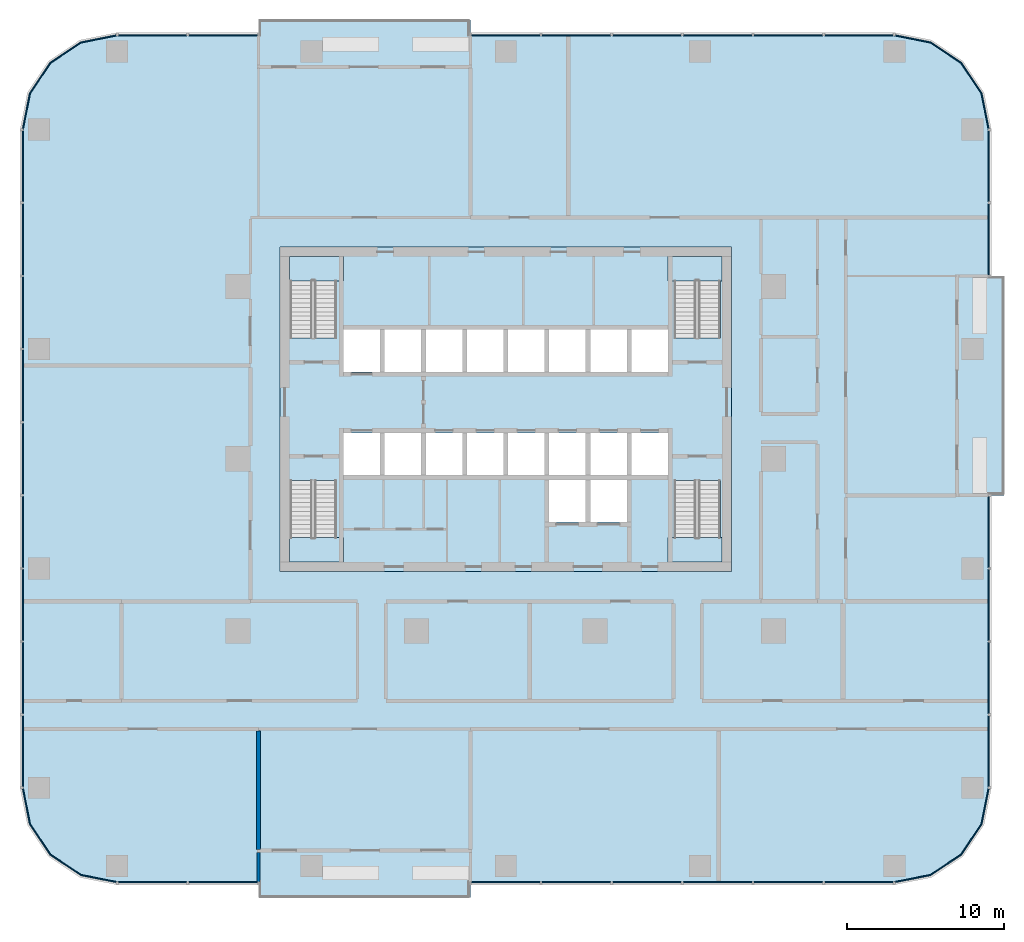
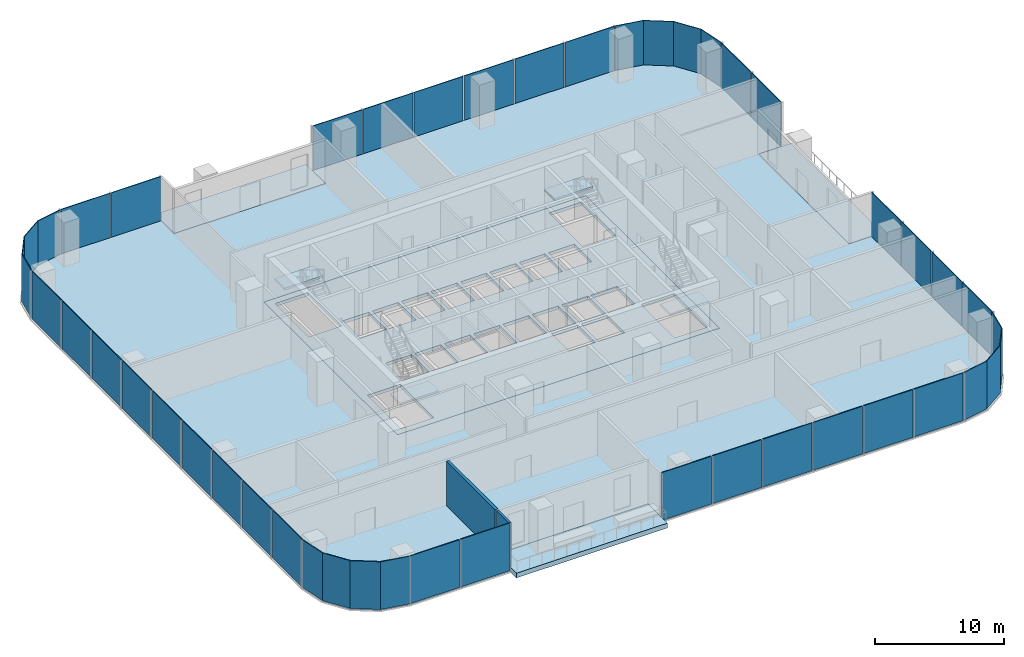
# One storey, part 6 of 15: 35 plates, 9 slabs, 2 walls, 15 elements without a shape of their own.
"""IFC4 building model written with IfcOpenShell, lengths in metres."""

from ifc_helpers import new_model, si_unit, direction, frame, frame_2d, origin, origin_2d, place, context, subcontext, project, spatial, polyline, rectangle, outline, extrude, material, layer, layer_set, type_object, element, aggregate, save


model = new_model("IFC4")

# Units and contexts
model_context = context("Model", 3, precision=1e-05, world=origin(), true_north=direction((0.0, 1.0)))
body_context = subcontext(model_context, "Body", "Model", "MODEL_VIEW")
ifc_project = project(units=[si_unit("LENGTHUNIT", "METRE"), si_unit("AREAUNIT", "SQUARE_METRE"), si_unit("VOLUMEUNIT", "CUBIC_METRE"), si_unit("PLANEANGLEUNIT", "RADIAN"), si_unit("MASSUNIT", "GRAM", prefix="KILO")], contexts=[model_context])

# Site, building, storey
site_placement = place(None, origin())
site = spatial("IfcSite", under=ifc_project, at=site_placement, CompositionType="ELEMENT")
building_placement = place(site_placement, origin())
building = spatial("IfcBuilding", under=site, at=building_placement, Name="Mopane Tessera Tower", CompositionType="ELEMENT")
storey_placement = place(building_placement, frame((0.0, 0.0, 83.800048828125)))
storey = spatial("IfcBuildingStorey", under=building, at=storey_placement, Name="L16", CompositionType="ELEMENT", Elevation=83.800048828125)

# Slab
ifc_material_1 = material(Name="Concrete C40/50", Category="concrete")
ifc_layer_1 = layer(ifc_material_1, 0.300048828125)
ifc_layer_set_1 = layer_set([ifc_layer_1], Name="Concrete C40/50")
slab_type_1 = type_object("IfcSlabType", Name="Core floor slab 300 mm", PredefinedType="FLOOR", material=ifc_layer_set_1)
slab_1_placement = place(storey_placement, frame((0.0, 0.0, -0.300048828125)))
element("IfcSlab", 1, at=slab_1_placement, inside=storey, type_object=slab_type_1, Name="L16 core floor slab", PredefinedType="FLOOR", context=body_context, shape_type="SweptSolid", body=[
    extrude(outline(polyline([(-14.39990234375, -7.199951171875), (14.39990234375, -7.199951171875), (14.39990234375, 13.5), (-14.39990234375, 13.5), (-14.39990234375, -7.199951171875)]), holes=[polyline([(-10.35009765625, -1.050048828125), (-8.02490234375, -1.050048828125), (-8.02490234375, 1.64990234375), (-10.35009765625, 1.64990234375), (-10.35009765625, -1.050048828125)]), polyline([(-7.72509765625, -1.050048828125), (-5.39990234375, -1.050048828125), (-5.39990234375, 1.64990234375), (-7.72509765625, 1.64990234375), (-7.72509765625, -1.050048828125)]), polyline([(-5.10009765625, -1.050048828125), (-2.77490234375, -1.050048828125), (-2.77490234375, 1.64990234375), (-5.10009765625, 1.64990234375), (-5.10009765625, -1.050048828125)]), polyline([(-2.47509765625, -1.050048828125), (-0.14990234375, -1.050048828125), (-0.14990234375, 1.64990234375), (-2.47509765625, 1.64990234375), (-2.47509765625, -1.050048828125)]), polyline([(0.14990234375, -1.050048828125), (2.47509765625, -1.050048828125), (2.47509765625, 1.64990234375), (0.14990234375, 1.64990234375), (0.14990234375, -1.050048828125)]), polyline([(2.77490234375, -1.050048828125), (5.10009765625, -1.050048828125), (5.10009765625, 1.64990234375), (2.77490234375, 1.64990234375), (2.77490234375, -1.050048828125)]), polyline([(5.39990234375, -1.050048828125), (7.72509765625, -1.050048828125), (7.72509765625, 1.64990234375), (5.39990234375, 1.64990234375), (5.39990234375, -1.050048828125)]), polyline([(8.02490234375, -1.050048828125), (10.35009765625, -1.050048828125), (10.35009765625, 1.64990234375), (8.02490234375, 1.64990234375), (8.02490234375, -1.050048828125)]), polyline([(-10.35009765625, 5.550048828125), (-8.02490234375, 5.550048828125), (-8.02490234375, 8.25), (-10.35009765625, 8.25), (-10.35009765625, 5.550048828125)]), polyline([(-7.72509765625, 5.550048828125), (-5.39990234375, 5.550048828125), (-5.39990234375, 8.25), (-7.72509765625, 8.25), (-7.72509765625, 5.550048828125)]), polyline([(-5.10009765625, 5.550048828125), (-2.77490234375, 5.550048828125), (-2.77490234375, 8.25), (-5.10009765625, 8.25), (-5.10009765625, 5.550048828125)]), polyline([(-2.47509765625, 5.550048828125), (-0.14990234375, 5.550048828125), (-0.14990234375, 8.25), (-2.47509765625, 8.25), (-2.47509765625, 5.550048828125)]), polyline([(0.14990234375, 5.550048828125), (2.47509765625, 5.550048828125), (2.47509765625, 8.25), (0.14990234375, 8.25), (0.14990234375, 5.550048828125)]), polyline([(2.77490234375, 5.550048828125), (5.10009765625, 5.550048828125), (5.10009765625, 8.25), (2.77490234375, 8.25), (2.77490234375, 5.550048828125)]), polyline([(5.39990234375, 5.550048828125), (7.72509765625, 5.550048828125), (7.72509765625, 8.25), (5.39990234375, 8.25), (5.39990234375, 5.550048828125)]), polyline([(8.02490234375, 5.550048828125), (10.35009765625, 5.550048828125), (10.35009765625, 8.25), (8.02490234375, 8.25), (8.02490234375, 5.550048828125)]), polyline([(2.77490234375, -4.050048828125), (5.10009765625, -4.050048828125), (5.10009765625, -1.35009765625), (2.77490234375, -1.35009765625), (2.77490234375, -4.050048828125)]), polyline([(5.39990234375, -4.050048828125), (7.72509765625, -4.050048828125), (7.72509765625, -1.35009765625), (5.39990234375, -1.35009765625), (5.39990234375, -4.050048828125)]), polyline([(-13.75, -1.405029296875), (-13.75, -6.60009765625), (-10.800048828125, -6.60009765625), (-10.800048828125, -1.405029296875), (-13.75, -1.405029296875)]), polyline([(-10.800048828125, 7.705078125), (-10.800048828125, 12.89990234375), (-13.75, 12.89990234375), (-13.75, 7.705078125), (-10.800048828125, 7.705078125)]), polyline([(10.75, -1.405029296875), (10.75, -6.60009765625), (13.699951171875, -6.60009765625), (13.699951171875, -1.405029296875), (10.75, -1.405029296875)]), polyline([(13.699951171875, 7.705078125), (13.699951171875, 12.89990234375), (10.75, 12.89990234375), (10.75, 7.705078125), (13.699951171875, 7.705078125)])]), origin(), (0.0, 0.0, 1.0), 0.300048828125),
])

# Stair, slab
ifc_material_2 = material(Name="Concrete C50/60", Category="concrete")
stair_type = type_object("IfcStairType", Name="Escape stair 1400 mm, riser 171 mm", PredefinedType="HALF_TURN_STAIR", material=ifc_material_2)
stair_1_placement = place(storey_placement, origin())
stair_1 = element("IfcStair", 2, at=stair_1_placement, inside=storey, type_object=stair_type, Name="L16 Escape stair south-west", PredefinedType="HALF_TURN_STAIR")
ifc_material_3 = material(Name="Concrete C50/60", Category="concrete")
ifc_layer_2 = layer(ifc_material_3, 0.199951171875)
ifc_layer_set_2 = layer_set([ifc_layer_2], Name="Concrete C50/60")
slab_type_2 = type_object("IfcSlabType", Name="Escape stair landing 200 mm", PredefinedType="LANDING", material=ifc_layer_set_2)
slab_2_placement = place(storey_placement, frame((0.0, 0.0, 2.199951171875)))
slab_2 = element("IfcSlab", 3, at=slab_2_placement, type_object=slab_type_2, Name="ST1 landing 1", PredefinedType="LANDING", context=body_context, shape_type="SweptSolid", body=[
    extrude(outline(polyline([(-13.800048828125, -5.0400390625), (-13.800048828125, -6.60009765625), (-10.35009765625, -6.60009765625), (-10.35009765625, -5.0400390625), (-13.800048828125, -5.0400390625)])), origin(), (0.0, 0.0, 1.0), 0.199951171875),
])
aggregate(stair_1, [slab_2])

stair_2_placement = place(storey_placement, origin())
stair_2 = element("IfcStair", 4, at=stair_2_placement, inside=storey, type_object=stair_type, Name="L16 Escape stair north-west", PredefinedType="HALF_TURN_STAIR")
slab_3_placement = place(storey_placement, frame((0.0, 0.0, 2.199951171875)))
slab_3 = element("IfcSlab", 5, at=slab_3_placement, type_object=slab_type_2, Name="ST2 landing 1", PredefinedType="LANDING", context=body_context, shape_type="SweptSolid", body=[
    extrude(outline(polyline([(-10.35009765625, 11.340087890625), (-10.35009765625, 12.89990234375), (-13.800048828125, 12.89990234375), (-13.800048828125, 11.340087890625), (-10.35009765625, 11.340087890625)])), origin(), (0.0, 0.0, 1.0), 0.199951171875),
])
aggregate(stair_2, [slab_3])

stair_3_placement = place(storey_placement, origin())
stair_3 = element("IfcStair", 6, at=stair_3_placement, inside=storey, type_object=stair_type, Name="L16 Escape stair south-east", PredefinedType="HALF_TURN_STAIR")
slab_4_placement = place(storey_placement, frame((0.0, 0.0, 2.199951171875)))
slab_4 = element("IfcSlab", 7, at=slab_4_placement, type_object=slab_type_2, Name="ST3 landing 1", PredefinedType="LANDING", context=body_context, shape_type="SweptSolid", body=[
    extrude(outline(polyline([(10.35009765625, -5.0400390625), (10.35009765625, -6.60009765625), (13.800048828125, -6.60009765625), (13.800048828125, -5.0400390625), (10.35009765625, -5.0400390625)])), origin(), (0.0, 0.0, 1.0), 0.199951171875),
])
aggregate(stair_3, [slab_4])

stair_4_placement = place(storey_placement, origin())
stair_4 = element("IfcStair", 8, at=stair_4_placement, inside=storey, type_object=stair_type, Name="L16 Escape stair north-east", PredefinedType="HALF_TURN_STAIR")
slab_5_placement = place(storey_placement, frame((0.0, 0.0, 2.199951171875)))
slab_5 = element("IfcSlab", 9, at=slab_5_placement, type_object=slab_type_2, Name="ST4 landing 1", PredefinedType="LANDING", context=body_context, shape_type="SweptSolid", body=[
    extrude(outline(polyline([(13.800048828125, 11.340087890625), (13.800048828125, 12.89990234375), (10.35009765625, 12.89990234375), (10.35009765625, 11.340087890625), (13.800048828125, 11.340087890625)])), origin(), (0.0, 0.0, 1.0), 0.199951171875),
])
aggregate(stair_4, [slab_5])

# Curtain wall, plates
ifc_material_4 = material(Name="Aluminium frame", Category="aluminium")
curtain_wall_type = type_object("IfcCurtainWallType", Name="Lower tower unitised wall", PredefinedType="NOTDEFINED", material=ifc_material_4)
curtain_wall_1_placement = place(storey_placement, origin())
curtain_wall_1 = element("IfcCurtainWall", 10, at=curtain_wall_1_placement, inside=storey, type_object=curtain_wall_type, Name="e:cw:L16:S:0", PredefinedType="NOTDEFINED")
ifc_material_5 = material(Name="Clear laminated glass", Category="glass")
ifc_layer_3 = layer(ifc_material_5, 0.070068359375)
ifc_layer_set_3 = layer_set([ifc_layer_3], Name="Clear laminated glass")
plate_type = type_object("IfcPlateType", Name="Laminated glazed unit 70", PredefinedType="CURTAIN_PANEL", material=ifc_layer_set_3)
plate_1_placement = place(storey_placement, frame((-22.54541015625, -27.034912109375, -0.31005859375), z_axis=(0.0, 0.0, 1.0), x_axis=(1.0, 0.0, 0.0)))
plate_1 = element("IfcPlate", 11, at=plate_1_placement, type_object=plate_type, Name="e:cw:L16:S:0:pn0", PredefinedType="CURTAIN_PANEL", context=body_context, shape_type="SweptSolid", body=[
    extrude(rectangle(XDim=4.399169921875, YDim=0.070068359375, at=origin_2d()), origin(), (0.0, 0.0, 1.0), 4.510009765625),
])
plate_2_placement = place(storey_placement, frame((-18.036376953125, -27.034912109375, -0.31005859375), z_axis=(0.0, 0.0, 1.0), x_axis=(1.0, 0.0, 0.0)))
plate_2 = element("IfcPlate", 12, at=plate_2_placement, type_object=plate_type, Name="e:cw:L16:S:0:pn1", PredefinedType="CURTAIN_PANEL", context=body_context, shape_type="SweptSolid", body=[
    extrude(rectangle(XDim=4.399169921875, YDim=0.070068359375, at=origin_2d()), origin(), (0.0, 0.0, 1.0), 4.510009765625),
])
aggregate(curtain_wall_1, [plate_1, plate_2])

curtain_wall_2_placement = place(storey_placement, origin())
curtain_wall_2 = element("IfcCurtainWall", 13, at=curtain_wall_2_placement, inside=storey, type_object=curtain_wall_type, Name="e:cw:L16:S:5", PredefinedType="NOTDEFINED")
plate_3_placement = place(storey_placement, frame((0.0, -27.034912109375, -0.31005859375), z_axis=(0.0, 0.0, 1.0), x_axis=(1.0, 0.0, 0.0)))
plate_3 = element("IfcPlate", 14, at=plate_3_placement, type_object=plate_type, Name="e:cw:L16:S:5:pn5", PredefinedType="CURTAIN_PANEL", context=body_context, shape_type="SweptSolid", body=[
    extrude(rectangle(XDim=4.399169921875, YDim=0.070068359375, at=origin_2d()), origin(), (0.0, 0.0, 1.0), 4.510009765625),
])
plate_4_placement = place(storey_placement, frame((4.509033203125, -27.034912109375, -0.31005859375), z_axis=(0.0, 0.0, 1.0), x_axis=(1.0, 0.0, 0.0)))
plate_4 = element("IfcPlate", 15, at=plate_4_placement, type_object=plate_type, Name="e:cw:L16:S:5:pn6", PredefinedType="CURTAIN_PANEL", context=body_context, shape_type="SweptSolid", body=[
    extrude(rectangle(XDim=4.399169921875, YDim=0.070068359375, at=origin_2d()), origin(), (0.0, 0.0, 1.0), 4.510009765625),
])
plate_5_placement = place(storey_placement, frame((9.01806640625, -27.034912109375, -0.31005859375), z_axis=(0.0, 0.0, 1.0), x_axis=(1.0, 0.0, 0.0)))
plate_5 = element("IfcPlate", 16, at=plate_5_placement, type_object=plate_type, Name="e:cw:L16:S:5:pn7", PredefinedType="CURTAIN_PANEL", context=body_context, shape_type="SweptSolid", body=[
    extrude(rectangle(XDim=4.399169921875, YDim=0.070068359375, at=origin_2d()), origin(), (0.0, 0.0, 1.0), 4.510009765625),
])
plate_6_placement = place(storey_placement, frame((13.52734375, -27.034912109375, -0.31005859375), z_axis=(0.0, 0.0, 1.0), x_axis=(1.0, 0.0, 0.0)))
plate_6 = element("IfcPlate", 17, at=plate_6_placement, type_object=plate_type, Name="e:cw:L16:S:5:pn8", PredefinedType="CURTAIN_PANEL", context=body_context, shape_type="SweptSolid", body=[
    extrude(rectangle(XDim=4.399169921875, YDim=0.070068359375, at=origin_2d()), origin(), (0.0, 0.0, 1.0), 4.510009765625),
])
plate_7_placement = place(storey_placement, frame((18.036376953125, -27.034912109375, -0.31005859375), z_axis=(0.0, 0.0, 1.0), x_axis=(1.0, 0.0, 0.0)))
plate_7 = element("IfcPlate", 18, at=plate_7_placement, type_object=plate_type, Name="e:cw:L16:S:5:pn9", PredefinedType="CURTAIN_PANEL", context=body_context, shape_type="SweptSolid", body=[
    extrude(rectangle(XDim=4.399169921875, YDim=0.070068359375, at=origin_2d()), origin(), (0.0, 0.0, 1.0), 4.510009765625),
])
plate_8_placement = place(storey_placement, frame((22.54541015625, -27.034912109375, -0.31005859375), z_axis=(0.0, 0.0, 1.0), x_axis=(1.0, 0.0, 0.0)))
plate_8 = element("IfcPlate", 19, at=plate_8_placement, type_object=plate_type, Name="e:cw:L16:S:5:pn10", PredefinedType="CURTAIN_PANEL", context=body_context, shape_type="SweptSolid", body=[
    extrude(rectangle(XDim=4.399169921875, YDim=0.070068359375, at=origin_2d()), origin(), (0.0, 0.0, 1.0), 4.510009765625),
])
aggregate(curtain_wall_2, [plate_3, plate_4, plate_5, plate_6, plate_7, plate_8])

# Curtain wall, plate
curtain_wall_3_placement = place(storey_placement, origin())
curtain_wall_3 = element("IfcCurtainWall", 20, at=curtain_wall_3_placement, inside=storey, type_object=curtain_wall_type, Name="e:cw:L16:CS", PredefinedType="NOTDEFINED")
plate_9_placement = place(storey_placement, frame((0.0, 0.0, -0.31005859375)))
plate_9 = element("IfcPlate", 21, at=plate_9_placement, type_object=plate_type, Name="e:cw:L16:CS:pn", PredefinedType="CURTAIN_PANEL", context=body_context, shape_type="SweptSolid", body=[
    extrude(outline(polyline([(24.800048828125, -27.0), (27.09619140625, -26.543212890625), (29.042724609375, -25.24267578125), (30.34326171875, -23.296142578125), (30.800048828125, -21.0), (30.8701171875, -21.0), (30.407958984375, -23.322998046875), (29.092041015625, -25.292236328125), (27.122802734375, -26.60791015625), (24.800048828125, -27.070068359375), (24.800048828125, -27.0)])), origin(), (0.0, 0.0, 1.0), 4.510009765625),
])
aggregate(curtain_wall_3, [plate_9])

# Curtain wall, plates
curtain_wall_4_placement = place(storey_placement, origin())
curtain_wall_4 = element("IfcCurtainWall", 22, at=curtain_wall_4_placement, inside=storey, type_object=curtain_wall_type, Name="e:cw:L16:E:0", PredefinedType="NOTDEFINED")
plate_10_placement = place(storey_placement, frame((30.8349609375, -18.666748046875, -0.31005859375), z_axis=(0.0, 0.0, 1.0), x_axis=(0.0, 1.0, 0.0)))
plate_10 = element("IfcPlate", 23, at=plate_10_placement, type_object=plate_type, Name="e:cw:L16:E:0:pn0", PredefinedType="CURTAIN_PANEL", context=body_context, shape_type="SweptSolid", body=[
    extrude(rectangle(XDim=4.556640625, YDim=0.070068359375, at=origin_2d()), origin(), (0.0, 0.0, 1.0), 4.510009765625),
])
plate_11_placement = place(storey_placement, frame((30.8349609375, -14.0, -0.31005859375), z_axis=(0.0, 0.0, 1.0), x_axis=(0.0, 1.0, 0.0)))
plate_11 = element("IfcPlate", 24, at=plate_11_placement, type_object=plate_type, Name="e:cw:L16:E:0:pn1", PredefinedType="CURTAIN_PANEL", context=body_context, shape_type="SweptSolid", body=[
    extrude(rectangle(XDim=4.556640625, YDim=0.070068359375, at=origin_2d()), origin(), (0.0, 0.0, 1.0), 4.510009765625),
])
plate_12_placement = place(storey_placement, frame((30.8349609375, -9.333251953125, -0.31005859375), z_axis=(0.0, 0.0, 1.0), x_axis=(0.0, 1.0, 0.0)))
plate_12 = element("IfcPlate", 25, at=plate_12_placement, type_object=plate_type, Name="e:cw:L16:E:0:pn2", PredefinedType="CURTAIN_PANEL", context=body_context, shape_type="SweptSolid", body=[
    extrude(rectangle(XDim=4.556640625, YDim=0.070068359375, at=origin_2d()), origin(), (0.0, 0.0, 1.0), 4.510009765625),
])
plate_13_placement = place(storey_placement, frame((30.8349609375, -4.666748046875, -0.31005859375), z_axis=(0.0, 0.0, 1.0), x_axis=(0.0, 1.0, 0.0)))
plate_13 = element("IfcPlate", 26, at=plate_13_placement, type_object=plate_type, Name="e:cw:L16:E:0:pn3", PredefinedType="CURTAIN_PANEL", context=body_context, shape_type="SweptSolid", body=[
    extrude(rectangle(XDim=4.556640625, YDim=0.070068359375, at=origin_2d()), origin(), (0.0, 0.0, 1.0), 4.510009765625),
])
aggregate(curtain_wall_4, [plate_10, plate_11, plate_12, plate_13])

curtain_wall_5_placement = place(storey_placement, origin())
curtain_wall_5 = element("IfcCurtainWall", 27, at=curtain_wall_5_placement, inside=storey, type_object=curtain_wall_type, Name="e:cw:L16:E:7", PredefinedType="NOTDEFINED")
plate_14_placement = place(storey_placement, frame((30.8349609375, 14.0, -0.31005859375), z_axis=(0.0, 0.0, 1.0), x_axis=(0.0, 1.0, 0.0)))
plate_14 = element("IfcPlate", 28, at=plate_14_placement, type_object=plate_type, Name="e:cw:L16:E:7:pn7", PredefinedType="CURTAIN_PANEL", context=body_context, shape_type="SweptSolid", body=[
    extrude(rectangle(XDim=4.556640625, YDim=0.070068359375, at=origin_2d()), origin(), (0.0, 0.0, 1.0), 4.510009765625),
])
plate_15_placement = place(storey_placement, frame((30.8349609375, 18.666748046875, -0.31005859375), z_axis=(0.0, 0.0, 1.0), x_axis=(0.0, 1.0, 0.0)))
plate_15 = element("IfcPlate", 29, at=plate_15_placement, type_object=plate_type, Name="e:cw:L16:E:7:pn8", PredefinedType="CURTAIN_PANEL", context=body_context, shape_type="SweptSolid", body=[
    extrude(rectangle(XDim=4.556640625, YDim=0.070068359375, at=origin_2d()), origin(), (0.0, 0.0, 1.0), 4.510009765625),
])
aggregate(curtain_wall_5, [plate_14, plate_15])

# Curtain wall, plate
curtain_wall_6_placement = place(storey_placement, origin())
curtain_wall_6 = element("IfcCurtainWall", 30, at=curtain_wall_6_placement, inside=storey, type_object=curtain_wall_type, Name="e:cw:L16:CE", PredefinedType="NOTDEFINED")
plate_16_placement = place(storey_placement, frame((0.0, 0.0, -0.31005859375)))
plate_16 = element("IfcPlate", 31, at=plate_16_placement, type_object=plate_type, Name="e:cw:L16:CE:pn", PredefinedType="CURTAIN_PANEL", context=body_context, shape_type="SweptSolid", body=[
    extrude(outline(polyline([(30.800048828125, 21.0), (30.34326171875, 23.296142578125), (29.042724609375, 25.24267578125), (27.09619140625, 26.543212890625), (24.800048828125, 27.0), (24.800048828125, 27.070068359375), (27.122802734375, 26.60791015625), (29.092041015625, 25.292236328125), (30.407958984375, 23.322998046875), (30.8701171875, 21.0), (30.800048828125, 21.0)])), origin(), (0.0, 0.0, 1.0), 4.510009765625),
])
aggregate(curtain_wall_6, [plate_16])

# Curtain wall, plates
curtain_wall_7_placement = place(storey_placement, origin())
curtain_wall_7 = element("IfcCurtainWall", 32, at=curtain_wall_7_placement, inside=storey, type_object=curtain_wall_type, Name="e:cw:L16:N:0", PredefinedType="NOTDEFINED")
plate_17_placement = place(storey_placement, frame((22.54541015625, 27.034912109375, -0.31005859375), z_axis=(0.0, 0.0, 1.0), x_axis=(-1.0, 0.0, 0.0)))
plate_17 = element("IfcPlate", 33, at=plate_17_placement, type_object=plate_type, Name="e:cw:L16:N:0:pn0", PredefinedType="CURTAIN_PANEL", context=body_context, shape_type="SweptSolid", body=[
    extrude(rectangle(XDim=4.399169921875, YDim=0.070068359375, at=origin_2d()), origin(), (0.0, 0.0, 1.0), 4.510009765625),
])
plate_18_placement = place(storey_placement, frame((18.036376953125, 27.034912109375, -0.31005859375), z_axis=(0.0, 0.0, 1.0), x_axis=(-1.0, 0.0, 0.0)))
plate_18 = element("IfcPlate", 34, at=plate_18_placement, type_object=plate_type, Name="e:cw:L16:N:0:pn1", PredefinedType="CURTAIN_PANEL", context=body_context, shape_type="SweptSolid", body=[
    extrude(rectangle(XDim=4.399169921875, YDim=0.070068359375, at=origin_2d()), origin(), (0.0, 0.0, 1.0), 4.510009765625),
])
plate_19_placement = place(storey_placement, frame((13.52734375, 27.034912109375, -0.31005859375), z_axis=(0.0, 0.0, 1.0), x_axis=(-1.0, 0.0, 0.0)))
plate_19 = element("IfcPlate", 35, at=plate_19_placement, type_object=plate_type, Name="e:cw:L16:N:0:pn2", PredefinedType="CURTAIN_PANEL", context=body_context, shape_type="SweptSolid", body=[
    extrude(rectangle(XDim=4.399169921875, YDim=0.070068359375, at=origin_2d()), origin(), (0.0, 0.0, 1.0), 4.510009765625),
])
plate_20_placement = place(storey_placement, frame((9.01806640625, 27.034912109375, -0.31005859375), z_axis=(0.0, 0.0, 1.0), x_axis=(-1.0, 0.0, 0.0)))
plate_20 = element("IfcPlate", 36, at=plate_20_placement, type_object=plate_type, Name="e:cw:L16:N:0:pn3", PredefinedType="CURTAIN_PANEL", context=body_context, shape_type="SweptSolid", body=[
    extrude(rectangle(XDim=4.399169921875, YDim=0.070068359375, at=origin_2d()), origin(), (0.0, 0.0, 1.0), 4.510009765625),
])
plate_21_placement = place(storey_placement, frame((4.509033203125, 27.034912109375, -0.31005859375), z_axis=(0.0, 0.0, 1.0), x_axis=(-1.0, 0.0, 0.0)))
plate_21 = element("IfcPlate", 37, at=plate_21_placement, type_object=plate_type, Name="e:cw:L16:N:0:pn4", PredefinedType="CURTAIN_PANEL", context=body_context, shape_type="SweptSolid", body=[
    extrude(rectangle(XDim=4.399169921875, YDim=0.070068359375, at=origin_2d()), origin(), (0.0, 0.0, 1.0), 4.510009765625),
])
plate_22_placement = place(storey_placement, frame((0.0, 27.034912109375, -0.31005859375), z_axis=(0.0, 0.0, 1.0), x_axis=(-1.0, 0.0, 0.0)))
plate_22 = element("IfcPlate", 38, at=plate_22_placement, type_object=plate_type, Name="e:cw:L16:N:0:pn5", PredefinedType="CURTAIN_PANEL", context=body_context, shape_type="SweptSolid", body=[
    extrude(rectangle(XDim=4.399169921875, YDim=0.070068359375, at=origin_2d()), origin(), (0.0, 0.0, 1.0), 4.510009765625),
])
aggregate(curtain_wall_7, [plate_17, plate_18, plate_19, plate_20, plate_21, plate_22])

curtain_wall_8_placement = place(storey_placement, origin())
curtain_wall_8 = element("IfcCurtainWall", 39, at=curtain_wall_8_placement, inside=storey, type_object=curtain_wall_type, Name="e:cw:L16:N:9", PredefinedType="NOTDEFINED")
plate_23_placement = place(storey_placement, frame((-18.036376953125, 27.034912109375, -0.31005859375), z_axis=(0.0, 0.0, 1.0), x_axis=(-1.0, 0.0, 0.0)))
plate_23 = element("IfcPlate", 40, at=plate_23_placement, type_object=plate_type, Name="e:cw:L16:N:9:pn9", PredefinedType="CURTAIN_PANEL", context=body_context, shape_type="SweptSolid", body=[
    extrude(rectangle(XDim=4.399169921875, YDim=0.070068359375, at=origin_2d()), origin(), (0.0, 0.0, 1.0), 4.510009765625),
])
plate_24_placement = place(storey_placement, frame((-22.54541015625, 27.034912109375, -0.31005859375), z_axis=(0.0, 0.0, 1.0), x_axis=(-1.0, 0.0, 0.0)))
plate_24 = element("IfcPlate", 41, at=plate_24_placement, type_object=plate_type, Name="e:cw:L16:N:9:pn10", PredefinedType="CURTAIN_PANEL", context=body_context, shape_type="SweptSolid", body=[
    extrude(rectangle(XDim=4.399169921875, YDim=0.070068359375, at=origin_2d()), origin(), (0.0, 0.0, 1.0), 4.510009765625),
])
aggregate(curtain_wall_8, [plate_23, plate_24])

# Curtain wall, plate
curtain_wall_9_placement = place(storey_placement, origin())
curtain_wall_9 = element("IfcCurtainWall", 42, at=curtain_wall_9_placement, inside=storey, type_object=curtain_wall_type, Name="e:cw:L16:CN", PredefinedType="NOTDEFINED")
plate_25_placement = place(storey_placement, frame((0.0, 0.0, -0.31005859375)))
plate_25 = element("IfcPlate", 43, at=plate_25_placement, type_object=plate_type, Name="e:cw:L16:CN:pn", PredefinedType="CURTAIN_PANEL", context=body_context, shape_type="SweptSolid", body=[
    extrude(outline(polyline([(-24.800048828125, 27.0), (-27.09619140625, 26.543212890625), (-29.042724609375, 25.24267578125), (-30.34326171875, 23.296142578125), (-30.800048828125, 21.0), (-30.8701171875, 21.0), (-30.407958984375, 23.322998046875), (-29.092041015625, 25.292236328125), (-27.122802734375, 26.60791015625), (-24.800048828125, 27.070068359375), (-24.800048828125, 27.0)])), origin(), (0.0, 0.0, 1.0), 4.510009765625),
])
aggregate(curtain_wall_9, [plate_25])

# Curtain wall, plates
curtain_wall_10_placement = place(storey_placement, origin())
curtain_wall_10 = element("IfcCurtainWall", 44, at=curtain_wall_10_placement, inside=storey, type_object=curtain_wall_type, Name="e:cw:L16:W:0", PredefinedType="NOTDEFINED")
plate_26_placement = place(storey_placement, frame((-30.8349609375, 18.666748046875, -0.31005859375), z_axis=(0.0, 0.0, 1.0), x_axis=(0.0, -1.0, 0.0)))
plate_26 = element("IfcPlate", 45, at=plate_26_placement, type_object=plate_type, Name="e:cw:L16:W:0:pn0", PredefinedType="CURTAIN_PANEL", context=body_context, shape_type="SweptSolid", body=[
    extrude(rectangle(XDim=4.556640625, YDim=0.070068359375, at=origin_2d()), origin(), (0.0, 0.0, 1.0), 4.510009765625),
])
plate_27_placement = place(storey_placement, frame((-30.8349609375, 14.0, -0.31005859375), z_axis=(0.0, 0.0, 1.0), x_axis=(0.0, -1.0, 0.0)))
plate_27 = element("IfcPlate", 46, at=plate_27_placement, type_object=plate_type, Name="e:cw:L16:W:0:pn1", PredefinedType="CURTAIN_PANEL", context=body_context, shape_type="SweptSolid", body=[
    extrude(rectangle(XDim=4.556640625, YDim=0.070068359375, at=origin_2d()), origin(), (0.0, 0.0, 1.0), 4.510009765625),
])
plate_28_placement = place(storey_placement, frame((-30.8349609375, 9.333251953125, -0.31005859375), z_axis=(0.0, 0.0, 1.0), x_axis=(0.0, -1.0, 0.0)))
plate_28 = element("IfcPlate", 47, at=plate_28_placement, type_object=plate_type, Name="e:cw:L16:W:0:pn2", PredefinedType="CURTAIN_PANEL", context=body_context, shape_type="SweptSolid", body=[
    extrude(rectangle(XDim=4.556640625, YDim=0.070068359375, at=origin_2d()), origin(), (0.0, 0.0, 1.0), 4.510009765625),
])
plate_29_placement = place(storey_placement, frame((-30.8349609375, 4.666748046875, -0.31005859375), z_axis=(0.0, 0.0, 1.0), x_axis=(0.0, -1.0, 0.0)))
plate_29 = element("IfcPlate", 48, at=plate_29_placement, type_object=plate_type, Name="e:cw:L16:W:0:pn3", PredefinedType="CURTAIN_PANEL", context=body_context, shape_type="SweptSolid", body=[
    extrude(rectangle(XDim=4.556640625, YDim=0.070068359375, at=origin_2d()), origin(), (0.0, 0.0, 1.0), 4.510009765625),
])
plate_30_placement = place(storey_placement, frame((-30.8349609375, 0.0, -0.31005859375), z_axis=(0.0, 0.0, 1.0), x_axis=(0.0, -1.0, 0.0)))
plate_30 = element("IfcPlate", 49, at=plate_30_placement, type_object=plate_type, Name="e:cw:L16:W:0:pn4", PredefinedType="CURTAIN_PANEL", context=body_context, shape_type="SweptSolid", body=[
    extrude(rectangle(XDim=4.556640625, YDim=0.070068359375, at=origin_2d()), origin(), (0.0, 0.0, 1.0), 4.510009765625),
])
plate_31_placement = place(storey_placement, frame((-30.8349609375, -4.666748046875, -0.31005859375), z_axis=(0.0, 0.0, 1.0), x_axis=(0.0, -1.0, 0.0)))
plate_31 = element("IfcPlate", 50, at=plate_31_placement, type_object=plate_type, Name="e:cw:L16:W:0:pn5", PredefinedType="CURTAIN_PANEL", context=body_context, shape_type="SweptSolid", body=[
    extrude(rectangle(XDim=4.556640625, YDim=0.070068359375, at=origin_2d()), origin(), (0.0, 0.0, 1.0), 4.510009765625),
])
plate_32_placement = place(storey_placement, frame((-30.8349609375, -9.333251953125, -0.31005859375), z_axis=(0.0, 0.0, 1.0), x_axis=(0.0, -1.0, 0.0)))
plate_32 = element("IfcPlate", 51, at=plate_32_placement, type_object=plate_type, Name="e:cw:L16:W:0:pn6", PredefinedType="CURTAIN_PANEL", context=body_context, shape_type="SweptSolid", body=[
    extrude(rectangle(XDim=4.556640625, YDim=0.070068359375, at=origin_2d()), origin(), (0.0, 0.0, 1.0), 4.510009765625),
])
plate_33_placement = place(storey_placement, frame((-30.8349609375, -14.0, -0.31005859375), z_axis=(0.0, 0.0, 1.0), x_axis=(0.0, -1.0, 0.0)))
plate_33 = element("IfcPlate", 52, at=plate_33_placement, type_object=plate_type, Name="e:cw:L16:W:0:pn7", PredefinedType="CURTAIN_PANEL", context=body_context, shape_type="SweptSolid", body=[
    extrude(rectangle(XDim=4.556640625, YDim=0.070068359375, at=origin_2d()), origin(), (0.0, 0.0, 1.0), 4.510009765625),
])
plate_34_placement = place(storey_placement, frame((-30.8349609375, -18.666748046875, -0.31005859375), z_axis=(0.0, 0.0, 1.0), x_axis=(0.0, -1.0, 0.0)))
plate_34 = element("IfcPlate", 53, at=plate_34_placement, type_object=plate_type, Name="e:cw:L16:W:0:pn8", PredefinedType="CURTAIN_PANEL", context=body_context, shape_type="SweptSolid", body=[
    extrude(rectangle(XDim=4.556640625, YDim=0.070068359375, at=origin_2d()), origin(), (0.0, 0.0, 1.0), 4.510009765625),
])
aggregate(curtain_wall_10, [plate_26, plate_27, plate_28, plate_29, plate_30, plate_31, plate_32, plate_33, plate_34])

# Curtain wall, plate
curtain_wall_11_placement = place(storey_placement, origin())
curtain_wall_11 = element("IfcCurtainWall", 54, at=curtain_wall_11_placement, inside=storey, type_object=curtain_wall_type, Name="e:cw:L16:CW", PredefinedType="NOTDEFINED")
plate_35_placement = place(storey_placement, frame((0.0, 0.0, -0.31005859375)))
plate_35 = element("IfcPlate", 55, at=plate_35_placement, type_object=plate_type, Name="e:cw:L16:CW:pn", PredefinedType="CURTAIN_PANEL", context=body_context, shape_type="SweptSolid", body=[
    extrude(outline(polyline([(-30.800048828125, -21.0), (-30.34326171875, -23.296142578125), (-29.042724609375, -25.24267578125), (-27.09619140625, -26.543212890625), (-24.800048828125, -27.0), (-24.800048828125, -27.070068359375), (-27.122802734375, -26.60791015625), (-29.092041015625, -25.292236328125), (-30.407958984375, -23.322998046875), (-30.8701171875, -21.0), (-30.800048828125, -21.0)])), origin(), (0.0, 0.0, 1.0), 4.510009765625),
])
aggregate(curtain_wall_11, [plate_35])

# Slabs
ifc_material_6 = material(Name="Concrete C40/50", Category="concrete")
ifc_layer_4 = layer(ifc_material_6, 0.449951171875)
ifc_layer_set_4 = layer_set([ifc_layer_4], Name="Concrete C40/50")
slab_type_3 = type_object("IfcSlabType", Name="Planted terrace slab 450 mm", PredefinedType="FLOOR", material=ifc_layer_set_4)
slab_6_placement = place(storey_placement, frame((0.0, 0.0, -0.449951171875)))
element("IfcSlab", 56, at=slab_6_placement, inside=storey, type_object=slab_type_3, Name="Terrace slab N1 L16", PredefinedType="FLOOR", context=body_context, shape_type="SweptSolid", body=[
    extrude(outline(polyline([(31.800048828125, 11.666748046875), (28.800048828125, 11.666748046875), (28.800048828125, -2.333251953125), (31.800048828125, -2.333251953125), (31.800048828125, 11.666748046875)])), origin(), (0.0, 0.0, 1.0), 0.449951171875),
])
slab_7_placement = place(storey_placement, frame((0.0, 0.0, -0.449951171875)))
element("IfcSlab", 57, at=slab_7_placement, inside=storey, type_object=slab_type_3, Name="Terrace slab N2 L16", PredefinedType="FLOOR", context=body_context, shape_type="SweptSolid", body=[
    extrude(outline(polyline([(-15.78173828125, 28.0), (-15.78173828125, 25.0), (-2.254638671875, 25.0), (-2.254638671875, 28.0), (-15.78173828125, 28.0)])), origin(), (0.0, 0.0, 1.0), 0.449951171875),
])
slab_8_placement = place(storey_placement, frame((0.0, 0.0, -0.449951171875)))
element("IfcSlab", 58, at=slab_8_placement, inside=storey, type_object=slab_type_3, Name="Terrace slab N3 L16", PredefinedType="FLOOR", context=body_context, shape_type="SweptSolid", body=[
    extrude(outline(polyline([(-2.254638671875, -28.0), (-2.254638671875, -25.0), (-15.78173828125, -25.0), (-15.78173828125, -28.0), (-2.254638671875, -28.0)])), origin(), (0.0, 0.0, 1.0), 0.449951171875),
])
ifc_material_7 = material(Name="Concrete C40/50", Category="concrete")
ifc_layer_5 = layer(ifc_material_7, 0.449951171875)
ifc_layer_set_5 = layer_set([ifc_layer_5], Name="Concrete C40/50")
slab_type_4 = type_object("IfcSlabType", Name="Post-tensioned flat plate 450 mm", PredefinedType="FLOOR", material=ifc_layer_set_5)
slab_9_placement = place(storey_placement, frame((0.0, 0.0, -0.449951171875)))
element("IfcSlab", 59, at=slab_9_placement, inside=storey, type_object=slab_type_4, Name="Floor slab L16", PredefinedType="FLOOR", context=body_context, shape_type="SweptSolid", body=[
    extrude(outline(polyline([(-24.800048828125, -27.0), (-15.78173828125, -27.0), (-15.78173828125, -25.0), (-2.254638671875, -25.0), (-2.254638671875, -27.0), (24.800048828125, -27.0), (27.09619140625, -26.543212890625), (29.042724609375, -25.24267578125), (30.34326171875, -23.296142578125), (30.800048828125, -21.0), (30.800048828125, -2.333251953125), (28.800048828125, -2.333251953125), (28.800048828125, 11.666748046875), (30.800048828125, 11.666748046875), (30.800048828125, 21.0), (30.34326171875, 23.296142578125), (29.042724609375, 25.24267578125), (27.09619140625, 26.543212890625), (24.800048828125, 27.0), (-2.254638671875, 27.0), (-2.254638671875, 25.0), (-15.78173828125, 25.0), (-15.78173828125, 27.0), (-24.800048828125, 27.0), (-27.09619140625, 26.543212890625), (-29.042724609375, 25.24267578125), (-30.34326171875, 23.296142578125), (-30.800048828125, 21.0), (-30.800048828125, -21.0), (-30.34326171875, -23.296142578125), (-29.042724609375, -25.24267578125), (-27.09619140625, -26.543212890625), (-24.800048828125, -27.0)]), holes=[polyline([(14.39990234375, -7.199951171875), (-14.39990234375, -7.199951171875), (-14.39990234375, 13.5), (14.39990234375, 13.5), (14.39990234375, -7.199951171875)])]), origin(), (0.0, 0.0, 1.0), 0.449951171875),
])

# Walls
ifc_material_8 = material(Name="Plastered concrete blockwork C20/25", Category="masonry")
ifc_layer_6 = layer(ifc_material_8, 0.25)
ifc_layer_set_6 = layer_set([ifc_layer_6], Name="Plastered concrete blockwork C20/25")
wall_type_1 = type_object("IfcWallType", Name="Plastered blockwork wall 250, rated EI 120", PredefinedType="PARTITIONING", material=ifc_layer_set_6)
wall_1_placement = place(storey_placement, frame((-15.780029296875, -24.949951171875, 0.0), z_axis=(0.0, 0.0, 1.0), x_axis=(0.0, 1.0, 0.0)))
element("IfcWall", 60, at=wall_1_placement, inside=storey, type_object=wall_type_1, Name="Partition L16:029", PredefinedType="PARTITIONING", context=body_context, shape_type="SweptSolid", body=[
    extrude(rectangle(XDim=7.574951171875, YDim=0.25, at=frame_2d((3.78759765625, 0.0))), origin(), (0.0, 0.0, 1.0), 4.199951171875),
])
ifc_material_9 = material(Name="Blockwork with glazed tile facing", Category="masonry")
ifc_layer_7 = layer(ifc_material_9, 0.199951171875)
ifc_layer_set_7 = layer_set([ifc_layer_7], Name="Blockwork with glazed tile facing")
wall_type_2 = type_object("IfcWallType", Name="Terrace cheek wall 200", PredefinedType="STANDARD", material=ifc_layer_set_7)
wall_2_placement = place(storey_placement, frame((-15.78173828125, -27.0, 0.0), z_axis=(0.0, 0.0, 1.0), x_axis=(0.0, 1.0, 0.0)))
element("IfcWall", 61, at=wall_2_placement, inside=storey, type_object=wall_type_2, Name="e:nw:L16:N3:cheeka", PredefinedType="STANDARD", context=body_context, shape_type="SweptSolid", body=[
    extrude(rectangle(XDim=1.875, YDim=0.199951171875, at=frame_2d((0.9375, 0.0))), origin(), (0.0, 0.0, 1.0), 4.199951171875),
])

save(model, "model.ifc")
